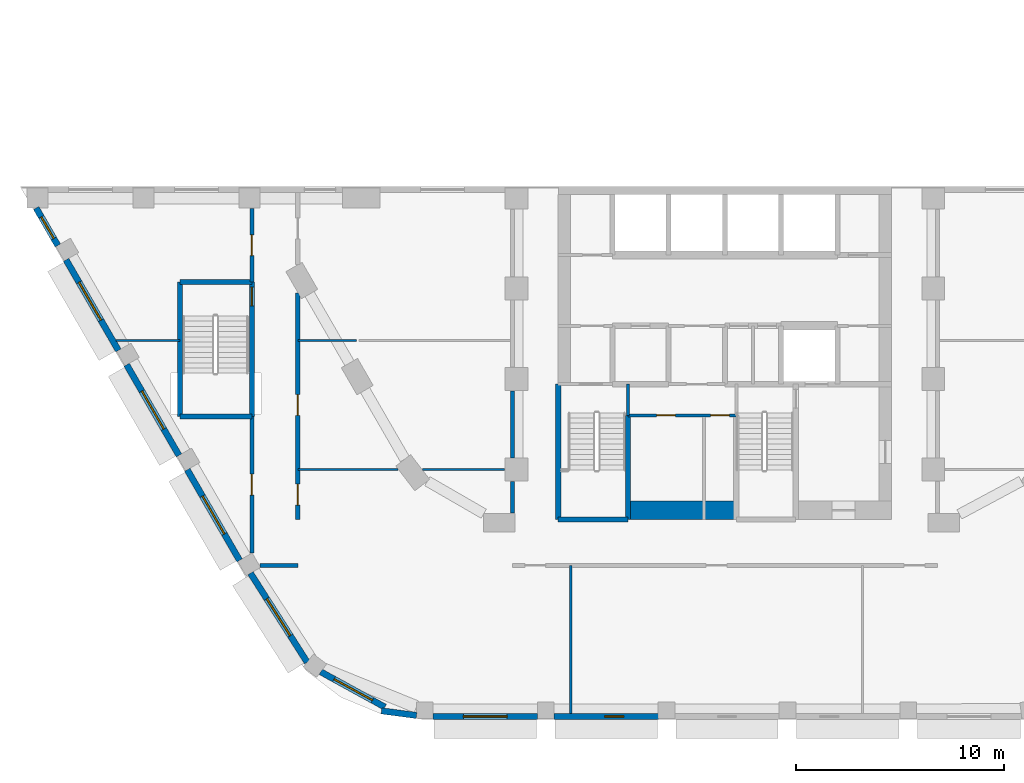
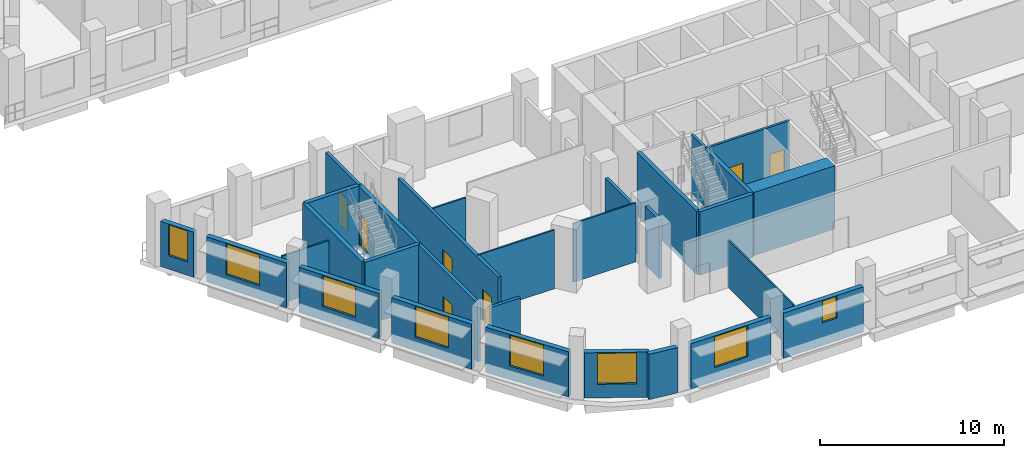
# One storey, part 16 of 33: 30 walls, 8 windows, 7 doors, 15 openings.
"""IFC4 building model written with IfcOpenShell, lengths in metres."""

from ifc_helpers import new_model, si_unit, direction, frame, frame_2d, origin, place, context, subcontext, project, spatial, rectangle, extrude, material, layer, layer_set, type_object, element, fill, save


model = new_model("IFC4")

# Units and contexts
model_context = context("Model", 3, precision=1e-05, world=origin(), true_north=direction((0.0, 1.0)))
body_context = subcontext(model_context, "Body", "Model", "MODEL_VIEW")
ifc_project = project(units=[si_unit("LENGTHUNIT", "METRE"), si_unit("AREAUNIT", "SQUARE_METRE"), si_unit("VOLUMEUNIT", "CUBIC_METRE"), si_unit("PLANEANGLEUNIT", "RADIAN"), si_unit("MASSUNIT", "GRAM", prefix="KILO")], contexts=[model_context])

# Site, building, storey
site_placement = place(None, origin())
site = spatial("IfcSite", under=ifc_project, at=site_placement, CompositionType="ELEMENT")
building_placement = place(site_placement, origin())
building = spatial("IfcBuilding", under=site, at=building_placement, Name="Nakaniwa Court", CompositionType="ELEMENT")
storey_placement = place(building_placement, frame((0.0, 0.0, 19.800048828125)))
storey = spatial("IfcBuildingStorey", under=building, at=storey_placement, Name="L04", CompositionType="ELEMENT", Elevation=19.800048828125)

# Wall, opening, door
ifc_material_1 = material(Name="Acoustic double stud partition")
ifc_layer_1 = layer(ifc_material_1, 0.199951171875)
ifc_layer_set_1 = layer_set([ifc_layer_1], Name="Acoustic double stud partition")
wall_type_1 = type_object("IfcWallType", Name="Acoustic double stud partition 200", PredefinedType="PARTITIONING", material=ifc_layer_set_1)
wall_1_placement = place(storey_placement, frame((57.300048828125, 55.0087890625, 0.0), z_axis=(0.0, 0.0, 1.0), x_axis=(0.0, 1.0, 0.0)))
wall_1 = element("IfcWall", 1, at=wall_1_placement, inside=storey, type_object=wall_type_1, Name="Partition PW-092", PredefinedType="PARTITIONING", context=body_context, shape_type="SweptSolid", body=[
    extrude(rectangle(XDim=6.544189453125, YDim=0.199951171875, at=frame_2d((3.27197265625, 0.0))), origin(), (0.0, 0.0, 1.0), 3.89990234375),
])
opening_1_placement = place(wall_1_placement, frame((2.77197265625, 0.0, 0.0)))
opening_1 = element("IfcOpeningElement", 2, at=opening_1_placement, cuts=wall_1, Name="Opening D-02-12", PredefinedType="OPENING", context=body_context, shape_type="SweptSolid", body=[
    extrude(rectangle(XDim=1.0, YDim=2.10009765625, at=frame_2d((0.5, 1.050048828125))), frame((0.0, 0.10986328125, 0.0), z_axis=(0.0, -1.0, 0.0), x_axis=(1.0, 0.0, 0.0)), (0.0, 0.0, 1.0), 0.219970703125),
])
ifc_material_2 = material(Name="Solid core timber door set, black veneer", Category="wood")
door_type_1 = type_object("IfcDoorType", Name="Internal door 1000", OperationType="NOTDEFINED", PredefinedType="DOOR", material=ifc_material_2)
door_1_placement = place(opening_1_placement, origin())
door_1 = element("IfcDoor", 3, at=door_1_placement, inside=storey, type_object=door_type_1, Name="Door D-02-12 L04-043", OperationType="SINGLE_SWING_RIGHT", OverallHeight=2.10009765625, OverallWidth=1.0, PredefinedType="DOOR", context=body_context, shape_type="SweptSolid", body=[
    extrude(rectangle(XDim=1.0, YDim=2.10009765625, at=frame_2d((0.5, 1.050048828125))), frame((0.0, 0.02490234375, 0.0), z_axis=(0.0, -1.0, 0.0), x_axis=(1.0, 0.0, 0.0)), (0.0, 0.0, 1.0), 0.050048828125),
])
fill(opening_1, door_1)

wall_2_placement = place(storey_placement, frame((57.300048828125, 67.9970703125, 0.0), z_axis=(0.0, 0.0, 1.0), x_axis=(0.0, 1.0, 0.0)))
wall_2 = element("IfcWall", 4, at=wall_2_placement, inside=storey, type_object=wall_type_1, Name="Partition PW-093", PredefinedType="PARTITIONING", context=body_context, shape_type="SweptSolid", body=[
    extrude(rectangle(XDim=3.535888671875, YDim=0.199951171875, at=frame_2d((1.76806640625, 0.0))), origin(), (0.0, 0.0, 1.0), 3.89990234375),
])
opening_2_placement = place(wall_2_placement, frame((1.26806640625, 0.0, 0.0)))
opening_2 = element("IfcOpeningElement", 5, at=opening_2_placement, cuts=wall_2, Name="Opening D-02-11", PredefinedType="OPENING", context=body_context, shape_type="SweptSolid", body=[
    extrude(rectangle(XDim=1.0, YDim=2.10009765625, at=frame_2d((0.5, 1.050048828125))), frame((0.0, 0.10986328125, 0.0), z_axis=(0.0, -1.0, 0.0), x_axis=(1.0, 0.0, 0.0)), (0.0, 0.0, 1.0), 0.219970703125),
])
door_2_placement = place(opening_2_placement, origin())
door_2 = element("IfcDoor", 6, at=door_2_placement, inside=storey, type_object=door_type_1, Name="Door D-02-11 L04-042", OperationType="SINGLE_SWING_LEFT", OverallHeight=2.10009765625, OverallWidth=1.0, PredefinedType="DOOR", context=body_context, shape_type="SweptSolid", body=[
    extrude(rectangle(XDim=1.0, YDim=2.10009765625, at=frame_2d((0.5, 1.050048828125))), frame((0.0, 0.02490234375, 0.0), z_axis=(0.0, -1.0, 0.0), x_axis=(1.0, 0.0, 0.0)), (0.0, 0.0, 1.0), 0.050048828125),
])
fill(opening_2, door_2)

# Wall, openings, doors
wall_3_placement = place(storey_placement, frame((59.5, 67.47021484375, 0.0), z_axis=(0.0, 0.0, 1.0), x_axis=(0.0, -1.0, 0.0)))
wall_3 = element("IfcWall", 7, at=wall_3_placement, inside=storey, type_object=wall_type_1, Name="Partition PW-096", PredefinedType="PARTITIONING", context=body_context, shape_type="SweptSolid", body=[
    extrude(rectangle(XDim=10.873291015625, YDim=0.199951171875, at=frame_2d((5.4365234375, 0.0))), origin(), (0.0, 0.0, 1.0), 3.89990234375),
])
opening_3_placement = place(wall_3_placement, frame((4.8701171875, 0.0, 0.0)))
opening_3 = element("IfcOpeningElement", 8, at=opening_3_placement, cuts=wall_3, Name="Opening D-02-17", PredefinedType="OPENING", context=body_context, shape_type="SweptSolid", body=[
    extrude(rectangle(XDim=1.0, YDim=2.10009765625, at=frame_2d((0.5, 1.050048828125))), frame((0.0, 0.10986328125, 0.0), z_axis=(0.0, -1.0, 0.0), x_axis=(1.0, 0.0, 0.0)), (0.0, 0.0, 1.0), 0.219970703125),
])
opening_4_placement = place(wall_3_placement, frame((9.169921875, 0.0, 0.0)))
opening_4 = element("IfcOpeningElement", 9, at=opening_4_placement, cuts=wall_3, Name="Opening D-02-18", PredefinedType="OPENING", context=body_context, shape_type="SweptSolid", body=[
    extrude(rectangle(XDim=1.0, YDim=2.10009765625, at=frame_2d((0.5, 1.050048828125))), frame((0.0, 0.10986328125, 0.0), z_axis=(0.0, -1.0, 0.0), x_axis=(1.0, 0.0, 0.0)), (0.0, 0.0, 1.0), 0.219970703125),
])
door_3_placement = place(opening_3_placement, origin())
door_3 = element("IfcDoor", 10, at=door_3_placement, inside=storey, type_object=door_type_1, Name="Door D-02-17 L04-048", OperationType="SINGLE_SWING_LEFT", OverallHeight=2.10009765625, OverallWidth=1.0, PredefinedType="DOOR", context=body_context, shape_type="SweptSolid", body=[
    extrude(rectangle(XDim=1.0, YDim=2.10009765625, at=frame_2d((0.5, 1.050048828125))), frame((0.0, 0.02490234375, 0.0), z_axis=(0.0, -1.0, 0.0), x_axis=(1.0, 0.0, 0.0)), (0.0, 0.0, 1.0), 0.050048828125),
])
fill(opening_3, door_3)
door_4_placement = place(opening_4_placement, origin())
door_4 = element("IfcDoor", 11, at=door_4_placement, inside=storey, type_object=door_type_1, Name="Door D-02-18 L04-049", OperationType="SINGLE_SWING_RIGHT", OverallHeight=2.10009765625, OverallWidth=1.0, PredefinedType="DOOR", context=body_context, shape_type="SweptSolid", body=[
    extrude(rectangle(XDim=1.0, YDim=2.10009765625, at=frame_2d((0.5, 1.050048828125))), frame((0.0, 0.02490234375, 0.0), z_axis=(0.0, -1.0, 0.0), x_axis=(1.0, 0.0, 0.0)), (0.0, 0.0, 1.0), 0.050048828125),
])
fill(opening_4, door_4)

# Walls
wall_4_placement = place(storey_placement, frame((69.800048828125, 56.9169921875, 0.0), z_axis=(0.0, 0.0, 1.0), x_axis=(0.0, 1.0, 0.0)))
element("IfcWall", 12, at=wall_4_placement, inside=storey, type_object=wall_type_1, Name="Partition PW-108", PredefinedType="PARTITIONING", context=body_context, shape_type="SweptSolid", body=[
    extrude(rectangle(XDim=1.51611328125, YDim=0.199951171875, at=frame_2d((0.758056640625, 0.0))), origin(), (0.0, 0.0, 1.0), 3.89990234375),
])
wall_5_placement = place(storey_placement, frame((69.800048828125, 59.56689453125, 0.0), z_axis=(0.0, 0.0, 1.0), x_axis=(0.0, 1.0, 0.0)))
element("IfcWall", 13, at=wall_5_placement, inside=storey, type_object=wall_type_1, Name="Partition PW-109", PredefinedType="PARTITIONING", context=body_context, shape_type="SweptSolid", body=[
    extrude(rectangle(XDim=3.216064453125, YDim=0.199951171875, at=frame_2d((1.60791015625, 0.0))), origin(), (0.0, 0.0, 1.0), 3.1298828125),
])
wall_6_placement = place(storey_placement, frame((57.676513671875, 54.39990234375, 0.0), z_axis=(0.0, 0.0, 1.0), x_axis=(1.0, 0.0, 0.0)))
element("IfcWall", 14, at=wall_6_placement, inside=storey, type_object=wall_type_1, Name="Partition PW-130", PredefinedType="PARTITIONING", context=body_context, shape_type="SweptSolid", body=[
    extrude(rectangle(XDim=1.823486328125, YDim=0.199951171875, at=frame_2d((0.91162109375, 0.0))), origin(), (0.0, 0.0, 1.0), 3.89990234375),
])

# Wall, opening, window
ifc_material_3 = material(Name="Charcoal ceramic cladding")
ifc_layer_2 = layer(ifc_material_3, 0.02, Name="Ceramic cladding")
ifc_material_4 = material(Name="Ventilated air cavity")
ifc_layer_3 = layer(ifc_material_4, 0.04, ventilated=True, Name="Ventilated cavity")
ifc_material_5 = material(Name="Mineral wool insulation")
ifc_layer_4 = layer(ifc_material_5, 0.1, Name="Insulation")
ifc_material_6 = material(Name="Cement bonded sheathing board")
ifc_layer_5 = layer(ifc_material_6, 0.012, Name="Sheathing")
ifc_material_7 = material(Name="Cold-formed galvanised stud frame with mineral wool infill")
ifc_layer_6 = layer(ifc_material_7, 0.1, Name="Stud frame")
ifc_material_8 = material(Name="Fire-rated gypsum plasterboard lining")
ifc_layer_7 = layer(ifc_material_8, 0.028, Name="Lining")
ifc_layer_set_2 = layer_set([ifc_layer_2, ifc_layer_3, ifc_layer_4, ifc_layer_5, ifc_layer_6, ifc_layer_7], Name="Charcoal ceramic faced external wall system")
wall_type_2 = type_object("IfcWallType", Name="Black ceramic faced external wall 300", PredefinedType="SOLIDWALL", material=ifc_layer_set_2)
wall_7_placement = place(storey_placement, frame((46.944580078125, 71.553466796875, 0.0), z_axis=(0.0, 0.0, 1.0), x_axis=(0.500020978615, -0.866013291437, 0.0)))
wall_7 = element("IfcWall", 15, at=wall_7_placement, inside=storey, type_object=wall_type_2, Name="L04 external wall 12", PredefinedType="SOLIDWALL", context=body_context, shape_type="SweptSolid", body=[
    extrude(rectangle(XDim=2.07666015625, YDim=0.300048828125, at=frame_2d((1.038330078125, 0.0))), origin(), (0.0, 0.0, 1.0), 3.0),
])
opening_5_placement = place(wall_7_placement, frame((0.489013671875, 0.0, 0.89990234375)))
opening_5 = element("IfcOpeningElement", 16, at=opening_5_placement, cuts=wall_7, Name="Opening W1.09", PredefinedType="OPENING", context=body_context, shape_type="SweptSolid", body=[
    extrude(rectangle(XDim=1.199951171875, YDim=2.050048828125, at=frame_2d((0.60009765625, 1.02490234375))), frame((0.0, 0.159912109375, 0.0), z_axis=(0.0, -1.0, 0.0), x_axis=(1.0, 0.0, 0.0)), (0.0, 0.0, 1.0), 0.320068359375),
])
ifc_material_9 = material(Name="Black anodised aluminium frame with dark low-E laminated double glazing", Category="aluminium")
window_type_1 = type_object("IfcWindowType", Name="Dark glass window 1200x2050 sill 900", PartitioningType="SINGLE_PANEL", PredefinedType="WINDOW", material=ifc_material_9)
window_1_placement = place(opening_5_placement, origin())
window_1 = element("IfcWindow", 17, at=window_1_placement, inside=storey, type_object=window_type_1, Name="L04 habitable room window 12-0", OverallHeight=2.050048828125, OverallWidth=1.199951171875, PartitioningType="SINGLE_PANEL", PredefinedType="WINDOW", context=body_context, shape_type="SweptSolid", body=[
    extrude(rectangle(XDim=1.199951171875, YDim=2.050048828125, at=frame_2d((0.60009765625, 1.02490234375))), frame((0.0, 0.030029296875, 0.0), z_axis=(0.0, -1.0, 0.0), x_axis=(1.0, 0.0, 0.0)), (0.0, 0.0, 1.0), 0.06005859375),
])
fill(opening_5, window_1)

wall_8_placement = place(storey_placement, frame((48.37890625, 69.0693359375, 0.0), z_axis=(0.0, 0.0, 1.0), x_axis=(0.500011252833, -0.866018906861, 0.0)))
wall_8 = element("IfcWall", 18, at=wall_8_placement, inside=storey, type_object=wall_type_2, Name="L04 external wall 13", PredefinedType="SOLIDWALL", context=body_context, shape_type="SweptSolid", body=[
    extrude(rectangle(XDim=5.02490234375, YDim=0.300048828125, at=frame_2d((2.512451171875, 0.0))), origin(), (0.0, 0.0, 1.0), 3.0),
])
opening_6_placement = place(wall_8_placement, frame((1.2451171875, 0.0, 0.89990234375)))
opening_6 = element("IfcOpeningElement", 19, at=opening_6_placement, cuts=wall_8, Name="Opening W2.10", PredefinedType="OPENING", context=body_context, shape_type="SweptSolid", body=[
    extrude(rectangle(XDim=2.10009765625, YDim=2.050048828125, at=frame_2d((1.050048828125, 1.02490234375))), frame((0.0, 0.159912109375, 0.0), z_axis=(0.0, -1.0, 0.0), x_axis=(1.0, 0.0, 0.0)), (0.0, 0.0, 1.0), 0.320068359375),
])
window_type_2 = type_object("IfcWindowType", Name="Dark glass window 2100x2050 sill 900", PartitioningType="SINGLE_PANEL", PredefinedType="WINDOW", material=ifc_material_9)
window_2_placement = place(opening_6_placement, origin())
window_2 = element("IfcWindow", 20, at=window_2_placement, inside=storey, type_object=window_type_2, Name="L04 habitable room window 13-0", OverallHeight=2.050048828125, OverallWidth=2.10009765625, PartitioningType="SINGLE_PANEL", PredefinedType="WINDOW", context=body_context, shape_type="SweptSolid", body=[
    extrude(rectangle(XDim=2.10009765625, YDim=2.050048828125, at=frame_2d((1.050048828125, 1.02490234375))), frame((0.0, 0.030029296875, 0.0), z_axis=(0.0, -1.0, 0.0), x_axis=(1.0, 0.0, 0.0)), (0.0, 0.0, 1.0), 0.06005859375),
])
fill(opening_6, window_2)

wall_9_placement = place(storey_placement, frame((51.287353515625, 64.031982421875, 0.0), z_axis=(0.0, 0.0, 1.0), x_axis=(0.499974811625, -0.866039945811, 0.0)))
wall_9 = element("IfcWall", 21, at=wall_9_placement, inside=storey, type_object=wall_type_2, Name="L04 external wall 14", PredefinedType="SOLIDWALL", context=body_context, shape_type="SweptSolid", body=[
    extrude(rectangle(XDim=5.024658203125, YDim=0.300048828125, at=frame_2d((2.51220703125, 0.0))), origin(), (0.0, 0.0, 1.0), 3.0),
])
opening_7_placement = place(wall_9_placement, frame((1.46240234375, 0.0, 0.89990234375)))
opening_7 = element("IfcOpeningElement", 22, at=opening_7_placement, cuts=wall_9, Name="Opening W2.11", PredefinedType="OPENING", context=body_context, shape_type="SweptSolid", body=[
    extrude(rectangle(XDim=2.10009765625, YDim=2.050048828125, at=frame_2d((1.050048828125, 1.02490234375))), frame((0.0, 0.159912109375, 0.0), z_axis=(0.0, -1.0, 0.0), x_axis=(1.0, 0.0, 0.0)), (0.0, 0.0, 1.0), 0.320068359375),
])
window_3_placement = place(opening_7_placement, origin())
window_3 = element("IfcWindow", 23, at=window_3_placement, inside=storey, type_object=window_type_2, Name="L04 habitable room window 14-0", OverallHeight=2.050048828125, OverallWidth=2.10009765625, PartitioningType="SINGLE_PANEL", PredefinedType="WINDOW", context=body_context, shape_type="SweptSolid", body=[
    extrude(rectangle(XDim=2.10009765625, YDim=2.050048828125, at=frame_2d((1.050048828125, 1.02490234375))), frame((0.0, 0.030029296875, 0.0), z_axis=(0.0, -1.0, 0.0), x_axis=(1.0, 0.0, 0.0)), (0.0, 0.0, 1.0), 0.06005859375),
])
fill(opening_7, window_3)

wall_10_placement = place(storey_placement, frame((54.195556640625, 58.994384765625, 0.0), z_axis=(0.0, 0.0, 1.0), x_axis=(0.500011252833, -0.866018906861, 0.0)))
wall_10 = element("IfcWall", 24, at=wall_10_placement, inside=storey, type_object=wall_type_2, Name="L04 external wall 15", PredefinedType="SOLIDWALL", context=body_context, shape_type="SweptSolid", body=[
    extrude(rectangle(XDim=5.02490234375, YDim=0.300048828125, at=frame_2d((2.512451171875, 0.0))), origin(), (0.0, 0.0, 1.0), 3.0),
])
opening_8_placement = place(wall_10_placement, frame((1.46240234375, 0.0, 0.89990234375)))
opening_8 = element("IfcOpeningElement", 25, at=opening_8_placement, cuts=wall_10, Name="Opening W2.12", PredefinedType="OPENING", context=body_context, shape_type="SweptSolid", body=[
    extrude(rectangle(XDim=2.10009765625, YDim=2.050048828125, at=frame_2d((1.050048828125, 1.02490234375))), frame((0.0, 0.159912109375, 0.0), z_axis=(0.0, -1.0, 0.0), x_axis=(1.0, 0.0, 0.0)), (0.0, 0.0, 1.0), 0.320068359375),
])
window_4_placement = place(opening_8_placement, origin())
window_4 = element("IfcWindow", 26, at=window_4_placement, inside=storey, type_object=window_type_2, Name="L04 habitable room window 15-0", OverallHeight=2.050048828125, OverallWidth=2.10009765625, PartitioningType="SINGLE_PANEL", PredefinedType="WINDOW", context=body_context, shape_type="SweptSolid", body=[
    extrude(rectangle(XDim=2.10009765625, YDim=2.050048828125, at=frame_2d((1.050048828125, 1.02490234375))), frame((0.0, 0.030029296875, 0.0), z_axis=(0.0, -1.0, 0.0), x_axis=(1.0, 0.0, 0.0)), (0.0, 0.0, 1.0), 0.06005859375),
])
fill(opening_8, window_4)

wall_11_placement = place(storey_placement, frame((57.2294921875, 54.029296875, 0.0), z_axis=(0.0, 0.0, 1.0), x_axis=(0.537224370512, -0.843439372882, 0.0)))
wall_11 = element("IfcWall", 27, at=wall_11_placement, inside=storey, type_object=wall_type_2, Name="L04 external wall 16", PredefinedType="SOLIDWALL", context=body_context, shape_type="SweptSolid", body=[
    extrude(rectangle(XDim=5.07080078125, YDim=0.300048828125, at=frame_2d((2.535400390625, 0.0))), origin(), (0.0, 0.0, 1.0), 3.0),
])
opening_9_placement = place(wall_11_placement, frame((1.45751953125, 0.0, 0.89990234375)))
opening_9 = element("IfcOpeningElement", 28, at=opening_9_placement, cuts=wall_11, Name="Opening W2.13", PredefinedType="OPENING", context=body_context, shape_type="SweptSolid", body=[
    extrude(rectangle(XDim=2.10009765625, YDim=2.050048828125, at=frame_2d((1.050048828125, 1.02490234375))), frame((0.0, 0.159912109375, 0.0), z_axis=(0.0, -1.0, 0.0), x_axis=(1.0, 0.0, 0.0)), (0.0, 0.0, 1.0), 0.320068359375),
])
window_5_placement = place(opening_9_placement, origin())
window_5 = element("IfcWindow", 29, at=window_5_placement, inside=storey, type_object=window_type_2, Name="L04 habitable room window 16-0", OverallHeight=2.050048828125, OverallWidth=2.10009765625, PartitioningType="SINGLE_PANEL", PredefinedType="WINDOW", context=body_context, shape_type="SweptSolid", body=[
    extrude(rectangle(XDim=2.10009765625, YDim=2.050048828125, at=frame_2d((1.050048828125, 1.02490234375))), frame((0.0, 0.030029296875, 0.0), z_axis=(0.0, -1.0, 0.0), x_axis=(1.0, 0.0, 0.0)), (0.0, 0.0, 1.0), 0.06005859375),
])
fill(opening_9, window_5)

wall_12_placement = place(storey_placement, frame((60.6005859375, 49.29443359375, 0.0), z_axis=(0.0, 0.0, 1.0), x_axis=(0.876502039768, -0.481398145284, 0.0)))
wall_12 = element("IfcWall", 30, at=wall_12_placement, inside=storey, type_object=wall_type_2, Name="L04 external wall 17", PredefinedType="SOLIDWALL", context=body_context, shape_type="SweptSolid", body=[
    extrude(rectangle(XDim=3.510986328125, YDim=0.300048828125, at=frame_2d((1.75537109375, 0.0))), origin(), (0.0, 0.0, 1.0), 3.0),
])
opening_10_placement = place(wall_12_placement, frame((0.730712890625, 0.0, 0.89990234375)))
opening_10 = element("IfcOpeningElement", 31, at=opening_10_placement, cuts=wall_12, Name="Opening W2.14", PredefinedType="OPENING", context=body_context, shape_type="SweptSolid", body=[
    extrude(rectangle(XDim=2.10009765625, YDim=2.050048828125, at=frame_2d((1.050048828125, 1.02490234375))), frame((0.0, 0.159912109375, 0.0), z_axis=(0.0, -1.0, 0.0), x_axis=(1.0, 0.0, 0.0)), (0.0, 0.0, 1.0), 0.320068359375),
])
window_6_placement = place(opening_10_placement, origin())
window_6 = element("IfcWindow", 32, at=window_6_placement, inside=storey, type_object=window_type_2, Name="L04 habitable room window 17-0", OverallHeight=2.050048828125, OverallWidth=2.10009765625, PartitioningType="SINGLE_PANEL", PredefinedType="WINDOW", context=body_context, shape_type="SweptSolid", body=[
    extrude(rectangle(XDim=2.10009765625, YDim=2.050048828125, at=frame_2d((1.050048828125, 1.02490234375))), frame((0.0, 0.030029296875, 0.0), z_axis=(0.0, -1.0, 0.0), x_axis=(1.0, 0.0, 0.0)), (0.0, 0.0, 1.0), 0.06005859375),
])
fill(opening_10, window_6)

# Wall
wall_13_placement = place(storey_placement, frame((63.515380859375, 47.42138671875, 0.0), z_axis=(0.0, 0.0, 1.0), x_axis=(0.991431291018, -0.130629227937, 0.0)))
element("IfcWall", 33, at=wall_13_placement, inside=storey, type_object=wall_type_2, Name="L04 external wall 18", PredefinedType="SOLIDWALL", context=body_context, shape_type="SweptSolid", body=[
    extrude(rectangle(XDim=1.698974609375, YDim=0.300048828125, at=frame_2d((0.849609375, 0.0))), origin(), (0.0, 0.0, 1.0), 3.0),
])

# Wall, opening, window
wall_14_placement = place(storey_placement, frame((65.99169921875, 47.14990234375, 0.0), z_axis=(0.0, 0.0, 1.0), x_axis=(1.0, 0.0, 0.0)))
wall_14 = element("IfcWall", 34, at=wall_14_placement, inside=storey, type_object=wall_type_2, Name="L04 external wall 19", PredefinedType="SOLIDWALL", context=body_context, shape_type="SweptSolid", body=[
    extrude(rectangle(XDim=5.01025390625, YDim=0.300048828125, at=frame_2d((2.505126953125, 0.0))), origin(), (0.0, 0.0, 1.0), 3.0),
])
opening_11_placement = place(wall_14_placement, frame((1.455078125, 0.0, 0.89990234375)))
opening_11 = element("IfcOpeningElement", 35, at=opening_11_placement, cuts=wall_14, Name="Opening W2.15", PredefinedType="OPENING", context=body_context, shape_type="SweptSolid", body=[
    extrude(rectangle(XDim=2.10009765625, YDim=2.050048828125, at=frame_2d((1.050048828125, 1.02490234375))), frame((0.0, 0.159912109375, 0.0), z_axis=(0.0, -1.0, 0.0), x_axis=(1.0, 0.0, 0.0)), (0.0, 0.0, 1.0), 0.320068359375),
])
window_7_placement = place(opening_11_placement, origin())
window_7 = element("IfcWindow", 36, at=window_7_placement, inside=storey, type_object=window_type_2, Name="L04 habitable room window 19-0", OverallHeight=2.050048828125, OverallWidth=2.10009765625, PartitioningType="SINGLE_PANEL", PredefinedType="WINDOW", context=body_context, shape_type="SweptSolid", body=[
    extrude(rectangle(XDim=2.10009765625, YDim=2.050048828125, at=frame_2d((1.050048828125, 1.02490234375))), frame((0.0, 0.030029296875, 0.0), z_axis=(0.0, -1.0, 0.0), x_axis=(1.0, 0.0, 0.0)), (0.0, 0.0, 1.0), 0.06005859375),
])
fill(opening_11, window_7)

wall_15_placement = place(storey_placement, frame((71.7939453125, 47.14990234375, 0.0), z_axis=(0.0, 0.0, 1.0), x_axis=(1.0, 0.0, 0.0)))
wall_15 = element("IfcWall", 37, at=wall_15_placement, inside=storey, type_object=wall_type_2, Name="L04 external wall 20", PredefinedType="SOLIDWALL", context=body_context, shape_type="SweptSolid", body=[
    extrude(rectangle(XDim=5.01025390625, YDim=0.300048828125, at=frame_2d((2.505126953125, 0.0))), origin(), (0.0, 0.0, 1.0), 3.0),
])
opening_12_placement = place(wall_15_placement, frame((2.446044921875, 0.0, 1.5)))
opening_12 = element("IfcOpeningElement", 38, at=opening_12_placement, cuts=wall_15, Name="Opening W3.16", PredefinedType="OPENING", context=body_context, shape_type="SweptSolid", body=[
    extrude(rectangle(XDim=0.89990234375, YDim=1.449951171875, at=frame_2d((0.449951171875, 0.72509765625))), frame((0.0, 0.159912109375, 0.0), z_axis=(0.0, -1.0, 0.0), x_axis=(1.0, 0.0, 0.0)), (0.0, 0.0, 1.0), 0.320068359375),
])
window_type_3 = type_object("IfcWindowType", Name="Dark glass window 900x1450 sill 1500", PartitioningType="SINGLE_PANEL", PredefinedType="WINDOW", material=ifc_material_9)
window_8_placement = place(opening_12_placement, origin())
window_8 = element("IfcWindow", 39, at=window_8_placement, inside=storey, type_object=window_type_3, Name="L04 bathroom window 20-1", OverallHeight=1.449951171875, OverallWidth=0.89990234375, PartitioningType="SINGLE_PANEL", PredefinedType="WINDOW", context=body_context, shape_type="SweptSolid", body=[
    extrude(rectangle(XDim=0.89990234375, YDim=1.449951171875, at=frame_2d((0.449951171875, 0.72509765625))), frame((0.0, 0.030029296875, 0.0), z_axis=(0.0, -1.0, 0.0), x_axis=(1.0, 0.0, 0.0)), (0.0, 0.0, 1.0), 0.06005859375),
])
fill(opening_12, window_8)

# Wall, openings, doors
ifc_material_10 = material(Name="Blockwork partition", Category="masonry")
ifc_layer_8 = layer(ifc_material_10, 0.14990234375)
ifc_layer_set_3 = layer_set([ifc_layer_8], Name="Blockwork partition")
wall_type_3 = type_object("IfcWallType", Name="Blockwork partition 150", PredefinedType="PARTITIONING", material=ifc_layer_set_3)
wall_16_placement = place(storey_placement, frame((80.550048828125, 61.60009765625, 0.0), z_axis=(0.0, 0.0, 1.0), x_axis=(-1.0, 0.0, 0.0)))
wall_16 = element("IfcWall", 40, at=wall_16_placement, inside=storey, type_object=wall_type_3, Name="Partition PW-075", PredefinedType="PARTITIONING", context=body_context, shape_type="SweptSolid", body=[
    extrude(rectangle(XDim=5.199951171875, YDim=0.14990234375, at=frame_2d((2.60009765625, 0.0))), origin(), (0.0, 0.0, 1.0), 3.89990234375),
])
opening_13_placement = place(wall_16_placement, frame((2.929931640625, 0.0, 0.0)))
opening_13 = element("IfcOpeningElement", 41, at=opening_13_placement, cuts=wall_16, Name="Opening D-05-15", PredefinedType="OPENING", context=body_context, shape_type="SweptSolid", body=[
    extrude(rectangle(XDim=0.89990234375, YDim=2.10009765625, at=frame_2d((0.449951171875, 1.050048828125))), frame((0.0, 0.0849609375, 0.0), z_axis=(0.0, -1.0, 0.0), x_axis=(1.0, 0.0, 0.0)), (0.0, 0.0, 1.0), 0.169921875),
])
opening_14_placement = place(wall_16_placement, frame((0.330078125, 0.0, 0.0)))
opening_14 = element("IfcOpeningElement", 42, at=opening_14_placement, cuts=wall_16, Name="Opening D-05-16", PredefinedType="OPENING", context=body_context, shape_type="SweptSolid", body=[
    extrude(rectangle(XDim=0.89990234375, YDim=2.10009765625, at=frame_2d((0.449951171875, 1.050048828125))), frame((0.0, 0.0849609375, 0.0), z_axis=(0.0, -1.0, 0.0), x_axis=(1.0, 0.0, 0.0)), (0.0, 0.0, 1.0), 0.169921875),
])
ifc_material_11 = material(Name="Fire rated steel door set", Category="steel")
door_type_2 = type_object("IfcDoorType", Name="Service room door 900", OperationType="NOTDEFINED", PredefinedType="DOOR", material=ifc_material_11)
door_5_placement = place(opening_13_placement, origin())
door_5 = element("IfcDoor", 43, at=door_5_placement, inside=storey, type_object=door_type_2, Name="Door D-05-15 L04-023", OperationType="SINGLE_SWING_RIGHT", OverallHeight=2.10009765625, OverallWidth=0.89990234375, PredefinedType="DOOR", context=body_context, shape_type="SweptSolid", body=[
    extrude(rectangle(XDim=0.89990234375, YDim=2.10009765625, at=frame_2d((0.449951171875, 1.050048828125))), frame((0.0, 0.02490234375, 0.0), z_axis=(0.0, -1.0, 0.0), x_axis=(1.0, 0.0, 0.0)), (0.0, 0.0, 1.0), 0.050048828125),
])
fill(opening_13, door_5)
door_6_placement = place(opening_14_placement, origin())
door_6 = element("IfcDoor", 44, at=door_6_placement, inside=storey, type_object=door_type_2, Name="Door D-05-16 L04-024", OperationType="SINGLE_SWING_LEFT", OverallHeight=2.10009765625, OverallWidth=0.89990234375, PredefinedType="DOOR", context=body_context, shape_type="SweptSolid", body=[
    extrude(rectangle(XDim=0.89990234375, YDim=2.10009765625, at=frame_2d((0.449951171875, 1.050048828125))), frame((0.0, 0.02490234375, 0.0), z_axis=(0.0, -1.0, 0.0), x_axis=(1.0, 0.0, 0.0)), (0.0, 0.0, 1.0), 0.050048828125),
])
fill(opening_14, door_6)

# Walls
ifc_material_12 = material(Name="Concrete C100/115", Category="concrete")
ifc_layer_9 = layer(ifc_material_12, 0.14990234375)
ifc_layer_set_4 = layer_set([ifc_layer_9], Name="Concrete C100/115")
wall_type_4 = type_object("IfcWallType", Name="Concrete core wall 150 C100", PredefinedType="SHEAR", material=ifc_layer_set_4)
wall_17_placement = place(storey_placement, frame((75.35009765625, 61.596923828125, -0.300048828125), z_axis=(0.0, 0.0, 1.0), x_axis=(0.0, 1.0, 0.0)))
element("IfcWall", 45, at=wall_17_placement, inside=storey, type_object=wall_type_4, Name="Core wall SW-65", PredefinedType="SHEAR", context=body_context, shape_type="SweptSolid", body=[
    extrude(rectangle(XDim=1.503173828125, YDim=0.14990234375, at=frame_2d((0.75146484375, 0.0))), origin(), (0.0, 0.0, 1.0), 4.199951171875),
])
ifc_layer_10 = layer(ifc_material_12, 0.25)
ifc_layer_set_5 = layer_set([ifc_layer_10], Name="Concrete C100/115")
wall_type_5 = type_object("IfcWallType", Name="Concrete core wall 250 C100", PredefinedType="SHEAR", material=ifc_layer_set_5)
wall_18_placement = place(storey_placement, frame((72.0, 56.60009765625, -0.300048828125), z_axis=(0.0, 0.0, 1.0), x_axis=(0.0, 1.0, 0.0)))
element("IfcWall", 46, at=wall_18_placement, inside=storey, type_object=wall_type_5, Name="Core wall SW-67", PredefinedType="SHEAR", context=body_context, shape_type="SweptSolid", body=[
    extrude(rectangle(XDim=6.5, YDim=0.25, at=frame_2d((3.25, 0.0))), origin(), (0.0, 0.0, 1.0), 4.199951171875),
])
wall_19_placement = place(storey_placement, frame((72.0, 56.60009765625, -0.300048828125), z_axis=(0.0, 0.0, 1.0), x_axis=(1.0, 0.0, 0.0)))
element("IfcWall", 47, at=wall_19_placement, inside=storey, type_object=wall_type_5, Name="Core wall SW-68", PredefinedType="SHEAR", context=body_context, shape_type="SweptSolid", body=[
    extrude(rectangle(XDim=3.35009765625, YDim=0.25, at=frame_2d((1.675048828125, 0.0))), origin(), (0.0, 0.0, 1.0), 4.199951171875),
])

# Wall, opening, door
wall_20_placement = place(storey_placement, frame((57.300048828125, 68.0029296875, -0.300048828125), z_axis=(0.0, 0.0, 1.0), x_axis=(0.0, -1.0, 0.0)))
wall_20 = element("IfcWall", 48, at=wall_20_placement, inside=storey, type_object=wall_type_5, Name="Core wall SW-90", PredefinedType="SHEAR", context=body_context, shape_type="SweptSolid", body=[
    extrude(rectangle(XDim=6.455810546875, YDim=0.25, at=frame_2d((3.22802734375, 0.0))), origin(), (0.0, 0.0, 1.0), 4.199951171875),
])
opening_15_placement = place(wall_20_placement, frame((0.25, 0.0, 0.300048828125)))
opening_15 = element("IfcOpeningElement", 49, at=opening_15_placement, cuts=wall_20, Name="Opening D-11-06", PredefinedType="OPENING", context=body_context, shape_type="SweptSolid", body=[
    extrude(rectangle(XDim=0.89990234375, YDim=2.10009765625, at=frame_2d((0.449951171875, 1.050048828125))), frame((0.0, 0.135009765625, 0.0), z_axis=(0.0, -1.0, 0.0), x_axis=(1.0, 0.0, 0.0)), (0.0, 0.0, 1.0), 0.27001953125),
])
door_type_3 = type_object("IfcDoorType", Name="Stair door 900", OperationType="NOTDEFINED", PredefinedType="DOOR", material=ifc_material_11)
door_7_placement = place(opening_15_placement, origin())
door_7 = element("IfcDoor", 50, at=door_7_placement, inside=storey, type_object=door_type_3, Name="Door D-11-06 L04-039", OperationType="SINGLE_SWING_LEFT", OverallHeight=2.10009765625, OverallWidth=0.89990234375, PredefinedType="DOOR", context=body_context, shape_type="SweptSolid", body=[
    extrude(rectangle(XDim=0.89990234375, YDim=2.10009765625, at=frame_2d((0.449951171875, 1.050048828125))), frame((0.0, 0.02490234375, 0.0), z_axis=(0.0, -1.0, 0.0), x_axis=(1.0, 0.0, 0.0)), (0.0, 0.0, 1.0), 0.050048828125),
])
fill(opening_15, door_7)

# Walls
wall_21_placement = place(storey_placement, frame((53.85009765625, 61.550048828125, -0.300048828125), z_axis=(0.0, 0.0, 1.0), x_axis=(0.0, 1.0, 0.0)))
element("IfcWall", 51, at=wall_21_placement, inside=storey, type_object=wall_type_5, Name="Core wall SW-122", PredefinedType="SHEAR", context=body_context, shape_type="SweptSolid", body=[
    extrude(rectangle(XDim=6.449951171875, YDim=0.25, at=frame_2d((3.22509765625, 0.0))), origin(), (0.0, 0.0, 1.0), 4.199951171875),
])
for number, where, z_axis, x_axis, name in (
    (52, (53.85009765625, 68.0, -0.300048828125), (0.0, 0.0, 1.0), (1.0, 0.0, 0.0), "Core wall SW-133"),
    (53, (53.85009765625, 61.550048828125, -0.300048828125), (0.0, 0.0, 1.0), (1.0, 0.0, 0.0), "Core wall SW-135"),
):
    element("IfcWall", number, at=place(storey_placement, frame(where, z_axis=z_axis, x_axis=x_axis)), inside=storey, type_object=wall_type_5, Name=name, PredefinedType="SHEAR", context=body_context, shape_type="SweptSolid", body=[
        extrude(rectangle(XDim=3.449951171875, YDim=0.25, at=frame_2d((1.72509765625, 0.0))), origin(), (0.0, 0.0, 1.0), 4.199951171875),
    ])
ifc_layer_11 = layer(ifc_material_12, 0.89990234375)
ifc_layer_set_6 = layer_set([ifc_layer_11], Name="Concrete C100/115")
wall_type_6 = type_object("IfcWallType", Name="Concrete core wall 900 C100", PredefinedType="SHEAR", material=ifc_layer_set_6)
wall_22_placement = place(storey_placement, frame((75.35009765625, 57.050048828125, -0.300048828125), z_axis=(0.0, 0.0, 1.0), x_axis=(1.0, 0.0, 0.0)))
element("IfcWall", 54, at=wall_22_placement, inside=storey, type_object=wall_type_6, Name="Core wall SW-73", PredefinedType="SHEAR", context=body_context, shape_type="SweptSolid", body=[
    extrude(rectangle(XDim=5.199951171875, YDim=0.89990234375, at=frame_2d((2.60009765625, 0.0))), origin(), (0.0, 0.0, 1.0), 4.199951171875),
])
ifc_layer_12 = layer(ifc_material_12, 0.25)
ifc_layer_set_7 = layer_set([ifc_layer_12], Name="Concrete C100/115")
wall_type_7 = type_object("IfcWallType", Name="Concrete shaft wall 250 C100", PredefinedType="SHEAR", material=ifc_layer_set_7)
wall_23_placement = place(storey_placement, frame((75.35009765625, 56.60009765625, -0.300048828125), z_axis=(0.0, 0.0, 1.0), x_axis=(0.0, 1.0, 0.0)))
element("IfcWall", 55, at=wall_23_placement, inside=storey, type_object=wall_type_7, Name="Core wall SW-66", PredefinedType="SHEAR", context=body_context, shape_type="SweptSolid", body=[
    extrude(rectangle(XDim=5.0029296875, YDim=0.25, at=frame_2d((2.50146484375, 0.0))), origin(), (0.0, 0.0, 1.0), 4.199951171875),
])
ifc_material_13 = material(Name="Single stud plasterboard partition")
ifc_layer_13 = layer(ifc_material_13, 0.10009765625)
ifc_layer_set_8 = layer_set([ifc_layer_13], Name="Single stud plasterboard partition")
wall_type_8 = type_object("IfcWallType", Name="Single stud plasterboard partition 100", PredefinedType="PARTITIONING", material=ifc_layer_set_8)
wall_24_placement = place(storey_placement, frame((50.7861328125, 65.199951171875, 0.0), z_axis=(0.0, 0.0, 1.0), x_axis=(1.0, 0.0, 0.0)))
element("IfcWall", 56, at=wall_24_placement, inside=storey, type_object=wall_type_8, Name="Partition PW-137", PredefinedType="PARTITIONING", context=body_context, shape_type="SweptSolid", body=[
    extrude(rectangle(XDim=3.06396484375, YDim=0.10009765625, at=frame_2d((1.531982421875, 0.0))), origin(), (0.0, 0.0, 1.0), 3.1298828125),
])
wall_25_placement = place(storey_placement, frame((59.5, 65.199951171875, 0.0), z_axis=(0.0, 0.0, 1.0), x_axis=(1.0, 0.0, 0.0)))
element("IfcWall", 57, at=wall_25_placement, inside=storey, type_object=wall_type_8, Name="Partition PW-138", PredefinedType="PARTITIONING", context=body_context, shape_type="SweptSolid", body=[
    extrude(rectangle(XDim=2.819580078125, YDim=0.10009765625, at=frame_2d((1.40966796875, 0.0))), origin(), (0.0, 0.0, 1.0), 2.97998046875),
])
wall_26_placement = place(storey_placement, frame((59.5, 59.0, 0.0), z_axis=(0.0, 0.0, 1.0), x_axis=(1.0, 0.0, 0.0)))
element("IfcWall", 58, at=wall_26_placement, inside=storey, type_object=wall_type_8, Name="Partition PW-143", PredefinedType="PARTITIONING", context=body_context, shape_type="SweptSolid", body=[
    extrude(rectangle(XDim=4.810302734375, YDim=0.10009765625, at=frame_2d((2.4052734375, 0.0))), origin(), (0.0, 0.0, 1.0), 3.89990234375),
])
wall_27_placement = place(storey_placement, frame((65.4951171875, 59.0, 0.0), z_axis=(0.0, 0.0, 1.0), x_axis=(1.0, 0.0, 0.0)))
element("IfcWall", 59, at=wall_27_placement, inside=storey, type_object=wall_type_8, Name="Partition PW-144", PredefinedType="PARTITIONING", context=body_context, shape_type="SweptSolid", body=[
    extrude(rectangle(XDim=3.934814453125, YDim=0.10009765625, at=frame_2d((1.96728515625, 0.0))), origin(), (0.0, 0.0, 1.0), 3.89990234375),
])
wall_28_placement = place(storey_placement, frame((72.60009765625, 47.300048828125, 0.0), z_axis=(0.0, 0.0, 1.0), x_axis=(0.0, 1.0, 0.0)))
element("IfcWall", 60, at=wall_28_placement, inside=storey, type_object=wall_type_8, Name="Partition PW-147", PredefinedType="PARTITIONING", context=body_context, shape_type="SweptSolid", body=[
    extrude(rectangle(XDim=7.099853515625, YDim=0.10009765625, at=frame_2d((3.5498046875, 0.0))), origin(), (0.0, 0.0, 1.0), 3.1298828125),
])

save(model, "model.ifc")
